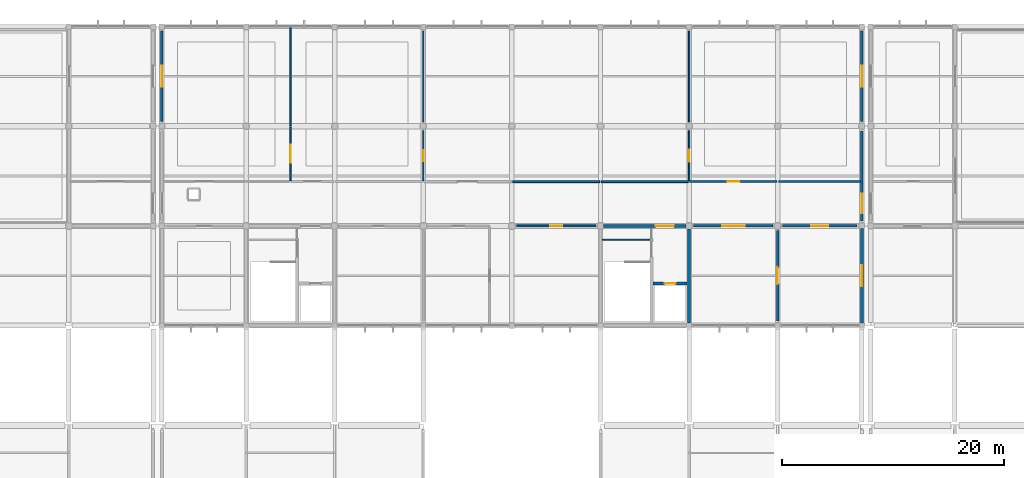
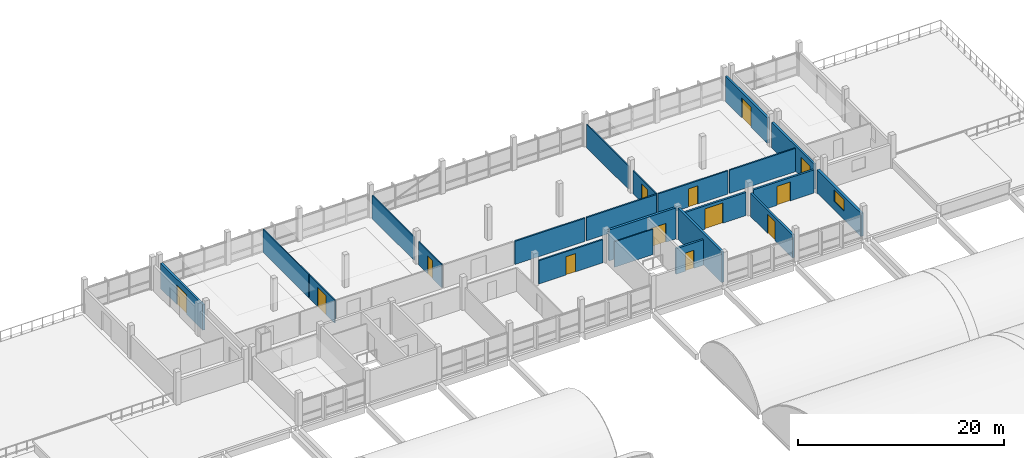
# One storey, part 52 of 57: 22 walls, 13 doors, 1 window, 14 openings.
"""IFC4 building model written with IfcOpenShell, lengths in metres."""

from ifc_helpers import new_model, si_unit, direction, frame, frame_2d, origin, place, context, subcontext, project, spatial, rectangle, extrude, material, layer, layer_set, type_object, element, fill, save


model = new_model("IFC4")

# Units and contexts
model_context = context("Model", 3, precision=1e-05, world=origin(), true_north=direction((0.0, 1.0)))
body_context = subcontext(model_context, "Body", "Model", "MODEL_VIEW")
ifc_project = project(units=[si_unit("LENGTHUNIT", "METRE"), si_unit("AREAUNIT", "SQUARE_METRE"), si_unit("VOLUMEUNIT", "CUBIC_METRE"), si_unit("PLANEANGLEUNIT", "RADIAN"), si_unit("MASSUNIT", "GRAM", prefix="KILO"), si_unit("THERMODYNAMICTEMPERATUREUNIT", "KELVIN"), si_unit("POWERUNIT", "WATT")], contexts=[model_context])

# Site, building, storey
site_placement = place(None, origin())
site = spatial("IfcSite", under=ifc_project, at=site_placement, CompositionType="ELEMENT")
building_placement = place(site_placement, origin())
building = spatial("IfcBuilding", under=site, at=building_placement, Name="Kronsvod Quay Wholesale Market", CompositionType="ELEMENT")
storey_placement = place(building_placement, frame((0.0, 0.0, 13.199951171875)))
storey = spatial("IfcBuildingStorey", under=building, at=storey_placement, Name="L03", CompositionType="ELEMENT", Elevation=13.199951171875)

# Wall, opening, door
ifc_material_1 = material(Name="Concrete C35/45", Category="concrete")
ifc_layer_1 = layer(ifc_material_1, 0.260009765625)
ifc_layer_set_1 = layer_set([ifc_layer_1], Name="Concrete C35/45")
wall_type_1 = type_object("IfcWallType", Name="Wall_CoreShear260", PredefinedType="SHEAR", material=ifc_layer_set_1)
wall_1_placement = place(storey_placement, frame((104.27001953125, 108.0, 0.0), z_axis=(0.0, 0.0, 1.0), x_axis=(1.0, 0.0, 0.0)))
wall_1 = element("IfcWall", 1, at=wall_1_placement, inside=storey, type_object=wall_type_1, Name="CW-C09-L03-N", PredefinedType="SHEAR", context=body_context, shape_type="SweptSolid", body=[
    extrude(rectangle(XDim=7.4599609375, YDim=0.260009765625, at=frame_2d((3.72998046875, 0.0))), origin(), (0.0, 0.0, 1.0), 3.6650390625),
])
opening_1_placement = place(wall_1_placement, frame((4.699951171875, 0.0, 0.0)))
opening_1 = element("IfcOpeningElement", 2, at=opening_1_placement, cuts=wall_1, Name="Opening D-0104", PredefinedType="OPENING", context=body_context, shape_type="SweptSolid", body=[
    extrude(rectangle(XDim=1.64990234375, YDim=2.219970703125, at=frame_2d((0.824951171875, 1.10986328125))), frame((0.0, 0.14013671875, 0.0), z_axis=(0.0, -1.0, 0.0), x_axis=(1.0, 0.0, 0.0)), (0.0, 0.0, 1.0), 0.280029296875),
])
ifc_material_2 = material(Name="Painted galvanized fire steel", Category="steel")
door_type_1 = type_object("IfcDoorType", Name="Door_FireLobby165x222", OperationType="DOUBLE_DOOR_SINGLE_SWING", PredefinedType="DOOR", material=ifc_material_2)
door_1_placement = place(opening_1_placement, origin())
door_1 = element("IfcDoor", 3, at=door_1_placement, inside=storey, type_object=door_type_1, Name="Core Lobby Door D-0104", OperationType="DOUBLE_DOOR_SINGLE_SWING", OverallHeight=2.219970703125, OverallWidth=1.64990234375, PredefinedType="DOOR", context=body_context, shape_type="SweptSolid", body=[
    extrude(rectangle(XDim=1.64990234375, YDim=2.219970703125, at=frame_2d((0.824951171875, 1.10986328125))), frame((0.0, 0.02490234375, 0.0), z_axis=(0.0, -1.0, 0.0), x_axis=(1.0, 0.0, 0.0)), (0.0, 0.0, 1.0), 0.050048828125),
])
fill(opening_1, door_1)

# Wall
wall_2_placement = place(storey_placement, frame((112.0, 99.2451171875, 0.0), z_axis=(0.0, 0.0, 1.0), x_axis=(0.0, 1.0, 0.0)))
element("IfcWall", 4, at=wall_2_placement, inside=storey, type_object=wall_type_1, Name="CW-C09-L03-E", PredefinedType="SHEAR", context=body_context, shape_type="SweptSolid", body=[
    extrude(rectangle(XDim=8.48486328125, YDim=0.260009765625, at=frame_2d((4.242431640625, 0.0))), origin(), (0.0, 0.0, 1.0), 3.6650390625),
])

# Wall, opening, window
ifc_material_3 = material(Name="Precast concrete C40/50", Category="concrete")
ifc_layer_2 = layer(ifc_material_3, 0.280029296875)
ifc_layer_set_2 = layer_set([ifc_layer_2], Name="Precast concrete C40/50")
wall_type_2 = type_object("IfcWallType", Name="Wall_ExtPrecast280", PredefinedType="SOLIDWALL", material=ifc_layer_set_2)
wall_3_placement = place(storey_placement, frame((127.60009765625, 99.2451171875, 0.0), z_axis=(0.0, 0.0, 1.0), x_axis=(0.0, 1.0, 0.0)))
wall_3 = element("IfcWall", 5, at=wall_3_placement, inside=storey, type_object=wall_type_2, Name="EW-Y-L03-0207", PredefinedType="SOLIDWALL", context=body_context, shape_type="SweptSolid", body=[
    extrude(rectangle(XDim=8.509765625, YDim=0.280029296875, at=frame_2d((4.2548828125, 0.0))), origin(), (0.0, 0.0, 1.0), 2.75),
])
opening_2_placement = place(wall_3_placement, frame((3.304931640625, 0.0, 1.0)))
opening_2 = element("IfcOpeningElement", 6, at=opening_2_placement, cuts=wall_3, Name="Opening WIN-20", PredefinedType="OPENING", context=body_context, shape_type="SweptSolid", body=[
    extrude(rectangle(XDim=1.89990234375, YDim=1.39990234375, at=frame_2d((0.949951171875, 0.699951171875))), frame((0.0, 0.14990234375, 0.0), z_axis=(0.0, -1.0, 0.0), x_axis=(1.0, 0.0, 0.0)), (0.0, 0.0, 1.0), 0.300048828125),
])
ifc_material_4 = material(Name="Thermally broken aluminium and triple low-E glazing", Category="aluminium")
window_type = type_object("IfcWindowType", Name="Win_W20", PartitioningType="SINGLE_PANEL", PredefinedType="WINDOW", material=ifc_material_4)
window_placement = place(opening_2_placement, origin())
window = element("IfcWindow", 7, at=window_placement, inside=storey, type_object=window_type, Name="WIN-Y-L03-0020", OverallHeight=1.39990234375, OverallWidth=1.89990234375, PartitioningType="SINGLE_PANEL", PredefinedType="WINDOW", context=body_context, shape_type="SweptSolid", body=[
    extrude(rectangle(XDim=1.89990234375, YDim=1.39990234375, at=frame_2d((0.949951171875, 0.699951171875))), frame((0.0, 0.030029296875, 0.0), z_axis=(0.0, -1.0, 0.0), x_axis=(1.0, 0.0, 0.0)), (0.0, 0.0, 1.0), 0.06005859375),
])
fill(opening_2, window)

# Wall, opening, door
ifc_material_5 = material(Name="Precast concrete C40/50", Category="concrete")
ifc_layer_3 = layer(ifc_material_5, 0.239990234375)
ifc_layer_set_3 = layer_set([ifc_layer_3], Name="Precast concrete C40/50")
wall_type_3 = type_object("IfcWallType", Name="Wall_ExtSpandrel240", PredefinedType="SOLIDWALL", material=ifc_layer_set_3)
wall_4_placement = place(storey_placement, frame((64.39990234375, 117.419921875, 0.0), z_axis=(0.0, 0.0, 1.0), x_axis=(0.0, 1.0, 0.0)))
wall_4 = element("IfcWall", 8, at=wall_4_placement, inside=storey, type_object=wall_type_3, Name="MJWG-L03-644-1170", PredefinedType="SOLIDWALL", context=body_context, shape_type="SweptSolid", body=[
    extrude(rectangle(XDim=8.16015625, YDim=0.239990234375, at=frame_2d((4.080078125, 0.0))), origin(), (0.0, 0.0, 1.0), 3.010009765625),
])
opening_3_placement = place(wall_4_placement, frame((3.1298828125, 0.0, 0.0)))
opening_3 = element("IfcOpeningElement", 9, at=opening_3_placement, cuts=wall_4, Name="Opening D-0393", PredefinedType="OPENING", context=body_context, shape_type="SweptSolid", body=[
    extrude(rectangle(XDim=1.89990234375, YDim=2.35009765625, at=frame_2d((0.949951171875, 1.175048828125))), frame((0.0, 0.1298828125, 0.0), z_axis=(0.0, -1.0, 0.0), x_axis=(1.0, 0.0, 0.0)), (0.0, 0.0, 1.0), 0.260009765625),
])
ifc_material_6 = material(Name="Painted galvanized fire steel", Category="steel")
door_type_2 = type_object("IfcDoorType", Name="Door_FireComp190x235", OperationType="DOUBLE_DOOR_SINGLE_SWING", PredefinedType="DOOR", material=ifc_material_6)
door_2_placement = place(opening_3_placement, origin())
door_2 = element("IfcDoor", 10, at=door_2_placement, inside=storey, type_object=door_type_2, Name="Fire Compartment Door D-0393", OperationType="DOUBLE_DOOR_SINGLE_SWING", OverallHeight=2.35009765625, OverallWidth=1.89990234375, PredefinedType="DOOR", context=body_context, shape_type="SweptSolid", body=[
    extrude(rectangle(XDim=1.89990234375, YDim=2.35009765625, at=frame_2d((0.949951171875, 1.175048828125))), frame((0.0, 0.02490234375, 0.0), z_axis=(0.0, -1.0, 0.0), x_axis=(1.0, 0.0, 0.0)), (0.0, 0.0, 1.0), 0.050048828125),
])
fill(opening_3, door_2)

wall_5_placement = place(storey_placement, frame((127.60009765625, 108.419921875, 0.0), z_axis=(0.0, 0.0, 1.0), x_axis=(0.0, 1.0, 0.0)))
wall_5 = element("IfcWall", 11, at=wall_5_placement, inside=storey, type_object=wall_type_3, Name="MJWG-L03-1276-1080", PredefinedType="SOLIDWALL", context=body_context, shape_type="SweptSolid", body=[
    extrude(rectangle(XDim=8.16015625, YDim=0.239990234375, at=frame_2d((4.080078125, 0.0))), origin(), (0.0, 0.0, 1.0), 3.010009765625),
])
opening_4_placement = place(wall_5_placement, frame((0.699951171875, 0.0, 0.0)))
opening_4 = element("IfcOpeningElement", 12, at=opening_4_placement, cuts=wall_5, Name="Opening D-0394", PredefinedType="OPENING", context=body_context, shape_type="SweptSolid", body=[
    extrude(rectangle(XDim=1.800048828125, YDim=2.300048828125, at=frame_2d((0.89990234375, 1.14990234375))), frame((0.0, 0.1298828125, 0.0), z_axis=(0.0, -1.0, 0.0), x_axis=(1.0, 0.0, 0.0)), (0.0, 0.0, 1.0), 0.260009765625),
])
ifc_material_7 = material(Name="Painted galvanized fire steel", Category="steel")
door_type_3 = type_object("IfcDoorType", Name="Door_FireComp180x230", OperationType="DOUBLE_DOOR_SINGLE_SWING", PredefinedType="DOOR", material=ifc_material_7)
door_3_placement = place(opening_4_placement, origin())
door_3 = element("IfcDoor", 13, at=door_3_placement, inside=storey, type_object=door_type_3, Name="Fire Compartment Door D-0394", OperationType="DOUBLE_DOOR_SINGLE_SWING", OverallHeight=2.300048828125, OverallWidth=1.800048828125, PredefinedType="DOOR", context=body_context, shape_type="SweptSolid", body=[
    extrude(rectangle(XDim=1.800048828125, YDim=2.300048828125, at=frame_2d((0.89990234375, 1.14990234375))), frame((0.0, 0.02490234375, 0.0), z_axis=(0.0, -1.0, 0.0), x_axis=(1.0, 0.0, 0.0)), (0.0, 0.0, 1.0), 0.050048828125),
])
fill(opening_4, door_3)

wall_6_placement = place(storey_placement, frame((127.60009765625, 117.419921875, 0.0), z_axis=(0.0, 0.0, 1.0), x_axis=(0.0, 1.0, 0.0)))
wall_6 = element("IfcWall", 14, at=wall_6_placement, inside=storey, type_object=wall_type_3, Name="MJWG-L03-1276-1170", PredefinedType="SOLIDWALL", context=body_context, shape_type="SweptSolid", body=[
    extrude(rectangle(XDim=8.16015625, YDim=0.239990234375, at=frame_2d((4.080078125, 0.0))), origin(), (0.0, 0.0, 1.0), 3.010009765625),
])
opening_5_placement = place(wall_6_placement, frame((3.1298828125, 0.0, 0.0)))
opening_5 = element("IfcOpeningElement", 15, at=opening_5_placement, cuts=wall_6, Name="Opening D-0395", PredefinedType="OPENING", context=body_context, shape_type="SweptSolid", body=[
    extrude(rectangle(XDim=1.89990234375, YDim=2.35009765625, at=frame_2d((0.949951171875, 1.175048828125))), frame((0.0, 0.1298828125, 0.0), z_axis=(0.0, -1.0, 0.0), x_axis=(1.0, 0.0, 0.0)), (0.0, 0.0, 1.0), 0.260009765625),
])
door_4_placement = place(opening_5_placement, origin())
door_4 = element("IfcDoor", 16, at=door_4_placement, inside=storey, type_object=door_type_2, Name="Fire Compartment Door D-0395", OperationType="DOUBLE_DOOR_SINGLE_SWING", OverallHeight=2.35009765625, OverallWidth=1.89990234375, PredefinedType="DOOR", context=body_context, shape_type="SweptSolid", body=[
    extrude(rectangle(XDim=1.89990234375, YDim=2.35009765625, at=frame_2d((0.949951171875, 1.175048828125))), frame((0.0, 0.02490234375, 0.0), z_axis=(0.0, -1.0, 0.0), x_axis=(1.0, 0.0, 0.0)), (0.0, 0.0, 1.0), 0.050048828125),
])
fill(opening_5, door_4)

ifc_material_8 = material(Name="Concrete C35/45", Category="concrete")
ifc_layer_4 = layer(ifc_material_8, 0.219970703125)
ifc_layer_set_4 = layer_set([ifc_layer_4], Name="Concrete C35/45")
wall_type_4 = type_object("IfcWallType", Name="Wall_FireComp220", PredefinedType="SOLIDWALL", material=ifc_layer_set_4)
wall_7_placement = place(storey_placement, frame((120.0, 99.419921875, 0.0), z_axis=(0.0, 0.0, 1.0), x_axis=(0.0, 1.0, 0.0)))
wall_7 = element("IfcWall", 17, at=wall_7_placement, inside=storey, type_object=wall_type_4, Name="PW-L03-0008", PredefinedType="SOLIDWALL", context=body_context, shape_type="SweptSolid", body=[
    extrude(rectangle(XDim=8.16015625, YDim=0.219970703125, at=frame_2d((4.080078125, 0.0))), origin(), (0.0, 0.0, 1.0), 2.75),
])
opening_6_placement = place(wall_7_placement, frame((3.330078125, 0.0, 0.0)))
opening_6 = element("IfcOpeningElement", 18, at=opening_6_placement, cuts=wall_7, Name="Opening D-0303", PredefinedType="OPENING", context=body_context, shape_type="SweptSolid", body=[
    extrude(rectangle(XDim=1.5, YDim=2.25, at=frame_2d((0.75, 1.125))), frame((0.0, 0.1201171875, 0.0), z_axis=(0.0, -1.0, 0.0), x_axis=(1.0, 0.0, 0.0)), (0.0, 0.0, 1.0), 0.239990234375),
])
ifc_material_9 = material(Name="Painted steel plant door", Category="steel")
door_type_4 = type_object("IfcDoorType", Name="Door_Plant150x225", OperationType="DOUBLE_DOOR_SINGLE_SWING", PredefinedType="DOOR", material=ifc_material_9)
door_5_placement = place(opening_6_placement, origin())
door_5 = element("IfcDoor", 19, at=door_5_placement, inside=storey, type_object=door_type_4, Name="Interior Door D-0303", OperationType="DOUBLE_DOOR_SINGLE_SWING", OverallHeight=2.25, OverallWidth=1.5, PredefinedType="DOOR", context=body_context, shape_type="SweptSolid", body=[
    extrude(rectangle(XDim=1.5, YDim=2.25, at=frame_2d((0.75, 1.125))), frame((0.0, 0.02490234375, 0.0), z_axis=(0.0, -1.0, 0.0), x_axis=(1.0, 0.0, 0.0)), (0.0, 0.0, 1.0), 0.050048828125),
])
fill(opening_6, door_5)

wall_8_placement = place(storey_placement, frame((112.419921875, 108.0, 0.0), z_axis=(0.0, 0.0, 1.0), x_axis=(1.0, 0.0, 0.0)))
wall_8 = element("IfcWall", 20, at=wall_8_placement, inside=storey, type_object=wall_type_4, Name="PW-L03-0009", PredefinedType="SOLIDWALL", context=body_context, shape_type="SweptSolid", body=[
    extrude(rectangle(XDim=7.16015625, YDim=0.219970703125, at=frame_2d((3.580078125, 0.0))), origin(), (0.0, 0.0, 1.0), 2.75),
])
opening_7_placement = place(wall_8_placement, frame((2.554931640625, 0.0, 0.0)))
opening_7 = element("IfcOpeningElement", 21, at=opening_7_placement, cuts=wall_8, Name="Opening D-0304", PredefinedType="OPENING", context=body_context, shape_type="SweptSolid", body=[
    extrude(rectangle(XDim=2.050048828125, YDim=2.39990234375, at=frame_2d((1.02490234375, 1.199951171875))), frame((0.0, 0.1201171875, 0.0), z_axis=(0.0, -1.0, 0.0), x_axis=(1.0, 0.0, 0.0)), (0.0, 0.0, 1.0), 0.239990234375),
])
ifc_material_10 = material(Name="Impact-protected warehouse double door", Category="steel")
door_type_5 = type_object("IfcDoorType", Name="Door_Sorting205x240", OperationType="DOUBLE_DOOR_SINGLE_SWING", PredefinedType="DOOR", material=ifc_material_10)
door_6_placement = place(opening_7_placement, origin())
door_6 = element("IfcDoor", 22, at=door_6_placement, inside=storey, type_object=door_type_5, Name="Interior Door D-0304", OperationType="DOUBLE_DOOR_SINGLE_SWING", OverallHeight=2.39990234375, OverallWidth=2.050048828125, PredefinedType="DOOR", context=body_context, shape_type="SweptSolid", body=[
    extrude(rectangle(XDim=2.050048828125, YDim=2.39990234375, at=frame_2d((1.02490234375, 1.199951171875))), frame((0.0, 0.02490234375, 0.0), z_axis=(0.0, -1.0, 0.0), x_axis=(1.0, 0.0, 0.0)), (0.0, 0.0, 1.0), 0.050048828125),
])
fill(opening_7, door_6)

wall_9_placement = place(storey_placement, frame((120.419921875, 108.0, 0.0), z_axis=(0.0, 0.0, 1.0), x_axis=(1.0, 0.0, 0.0)))
wall_9 = element("IfcWall", 23, at=wall_9_placement, inside=storey, type_object=wall_type_4, Name="PW-L03-0010", PredefinedType="SOLIDWALL", context=body_context, shape_type="SweptSolid", body=[
    extrude(rectangle(XDim=6.760009765625, YDim=0.219970703125, at=frame_2d((3.3798828125, 0.0))), origin(), (0.0, 0.0, 1.0), 2.75),
])
opening_8_placement = place(wall_9_placement, frame((2.6298828125, 0.0, 0.0)))
opening_8 = element("IfcOpeningElement", 24, at=opening_8_placement, cuts=wall_9, Name="Opening D-0305", PredefinedType="OPENING", context=body_context, shape_type="SweptSolid", body=[
    extrude(rectangle(XDim=1.5, YDim=2.25, at=frame_2d((0.75, 1.125))), frame((0.0, 0.1201171875, 0.0), z_axis=(0.0, -1.0, 0.0), x_axis=(1.0, 0.0, 0.0)), (0.0, 0.0, 1.0), 0.239990234375),
])
door_7_placement = place(opening_8_placement, origin())
door_7 = element("IfcDoor", 25, at=door_7_placement, inside=storey, type_object=door_type_4, Name="Interior Door D-0305", OperationType="DOUBLE_DOOR_SINGLE_SWING", OverallHeight=2.25, OverallWidth=1.5, PredefinedType="DOOR", context=body_context, shape_type="SweptSolid", body=[
    extrude(rectangle(XDim=1.5, YDim=2.25, at=frame_2d((0.75, 1.125))), frame((0.0, 0.02490234375, 0.0), z_axis=(0.0, -1.0, 0.0), x_axis=(1.0, 0.0, 0.0)), (0.0, 0.0, 1.0), 0.050048828125),
])
fill(opening_8, door_7)

ifc_material_11 = material(Name="Fire-rated corridor gypsum partition")
ifc_layer_5 = layer(ifc_material_11, 0.159912109375)
ifc_layer_set_5 = layer_set([ifc_layer_5], Name="Fire-rated corridor gypsum partition")
wall_type_5 = type_object("IfcWallType", Name="Wall_PartCorridor160", PredefinedType="PARTITIONING", material=ifc_layer_set_5)
wall_10_placement = place(storey_placement, frame((112.080078125, 112.0, 0.0), z_axis=(0.0, 0.0, 1.0), x_axis=(1.0, 0.0, 0.0)))
wall_10 = element("IfcWall", 26, at=wall_10_placement, inside=storey, type_object=wall_type_5, Name="PW-L03-0018", PredefinedType="PARTITIONING", context=body_context, shape_type="SweptSolid", body=[
    extrude(rectangle(XDim=7.83984375, YDim=0.159912109375, at=frame_2d((3.919921875, 0.0))), origin(), (0.0, 0.0, 1.0), 2.75),
])
opening_9_placement = place(wall_10_placement, frame((3.39501953125, 0.0, 0.0)))
opening_9 = element("IfcOpeningElement", 27, at=opening_9_placement, cuts=wall_10, Name="Opening D-0309", PredefinedType="OPENING", context=body_context, shape_type="SweptSolid", body=[
    extrude(rectangle(XDim=1.050048828125, YDim=2.14990234375, at=frame_2d((0.52490234375, 1.074951171875))), frame((0.0, 0.08984375, 0.0), z_axis=(0.0, -1.0, 0.0), x_axis=(1.0, 0.0, 0.0)), (0.0, 0.0, 1.0), 0.179931640625),
])
ifc_material_12 = material(Name="Solid-core timber office door", Category="wood")
door_type_6 = type_object("IfcDoorType", Name="Door_Office105x215", OperationType="NOTDEFINED", PredefinedType="DOOR", material=ifc_material_12)
door_8_placement = place(opening_9_placement, origin())
door_8 = element("IfcDoor", 28, at=door_8_placement, inside=storey, type_object=door_type_6, Name="Interior Door D-0309", OperationType="SINGLE_SWING_RIGHT", OverallHeight=2.14990234375, OverallWidth=1.050048828125, PredefinedType="DOOR", context=body_context, shape_type="SweptSolid", body=[
    extrude(rectangle(XDim=1.050048828125, YDim=2.14990234375, at=frame_2d((0.52490234375, 1.074951171875))), frame((0.0, 0.02490234375, 0.0), z_axis=(0.0, -1.0, 0.0), x_axis=(1.0, 0.0, 0.0)), (0.0, 0.0, 1.0), 0.050048828125),
])
fill(opening_9, door_8)

# Wall
wall_11_placement = place(storey_placement, frame((120.080078125, 112.0, 0.0), z_axis=(0.0, 0.0, 1.0), x_axis=(1.0, 0.0, 0.0)))
element("IfcWall", 29, at=wall_11_placement, inside=storey, type_object=wall_type_5, Name="PW-L03-0019", PredefinedType="PARTITIONING", context=body_context, shape_type="SweptSolid", body=[
    extrude(rectangle(XDim=7.3798828125, YDim=0.159912109375, at=frame_2d((3.68994140625, 0.0))), origin(), (0.0, 0.0, 1.0), 2.75),
])

# Wall, opening, door
ifc_material_13 = material(Name="Double-layer fire gypsum partition", Category="gypsum")
ifc_layer_6 = layer(ifc_material_13, 0.16796875)
ifc_layer_set_6 = layer_set([ifc_layer_6], Name="Double-layer fire gypsum partition")
wall_type_6 = type_object("IfcWallType", Name="Wall_PartCorridor168", PredefinedType="PARTITIONING", material=ifc_layer_set_6)
wall_12_placement = place(storey_placement, frame((96.419921875, 108.0, 0.0), z_axis=(0.0, 0.0, 1.0), x_axis=(1.0, 0.0, 0.0)))
wall_12 = element("IfcWall", 30, at=wall_12_placement, inside=storey, type_object=wall_type_6, Name="PW-L03-0007", PredefinedType="PARTITIONING", context=body_context, shape_type="SweptSolid", body=[
    extrude(rectangle(XDim=7.16015625, YDim=0.16796875, at=frame_2d((3.580078125, 0.0))), origin(), (0.0, 0.0, 1.0), 2.75),
])
opening_10_placement = place(wall_12_placement, frame((3.050048828125, 0.0, 0.0)))
opening_10 = element("IfcOpeningElement", 31, at=opening_10_placement, cuts=wall_12, Name="Opening D-0302", PredefinedType="OPENING", context=body_context, shape_type="SweptSolid", body=[
    extrude(rectangle(XDim=1.06005859375, YDim=2.169921875, at=frame_2d((0.530029296875, 1.0849609375))), frame((0.0, 0.093994140625, 0.0), z_axis=(0.0, -1.0, 0.0), x_axis=(1.0, 0.0, 0.0)), (0.0, 0.0, 1.0), 0.18798828125),
])
ifc_material_14 = material(Name="Solid-core timber office door", Category="wood")
door_type_7 = type_object("IfcDoorType", Name="Door_Office106x217", OperationType="NOTDEFINED", PredefinedType="DOOR", material=ifc_material_14)
door_9_placement = place(opening_10_placement, origin())
door_9 = element("IfcDoor", 32, at=door_9_placement, inside=storey, type_object=door_type_7, Name="Interior Door D-0302", OperationType="SINGLE_SWING_LEFT", OverallHeight=2.169921875, OverallWidth=1.06005859375, PredefinedType="DOOR", context=body_context, shape_type="SweptSolid", body=[
    extrude(rectangle(XDim=1.06005859375, YDim=2.169921875, at=frame_2d((0.530029296875, 1.0849609375))), frame((0.0, 0.02490234375, 0.0), z_axis=(0.0, -1.0, 0.0), x_axis=(1.0, 0.0, 0.0)), (0.0, 0.0, 1.0), 0.050048828125),
])
fill(opening_10, door_9)

# Walls
for number, where, z_axis, x_axis, name in (
    (33, (96.080078125, 112.0, 0.0), (0.0, 0.0, 1.0), (1.0, 0.0, 0.0), "PW-L03-0016"),
    (34, (104.080078125, 112.0, 0.0), (0.0, 0.0, 1.0), (1.0, 0.0, 0.0), "PW-L03-0017"),
):
    element("IfcWall", number, at=place(storey_placement, frame(where, z_axis=z_axis, x_axis=x_axis)), inside=storey, type_object=wall_type_6, Name=name, PredefinedType="PARTITIONING", context=body_context, shape_type="SweptSolid", body=[
        extrude(rectangle(XDim=7.83984375, YDim=0.16796875, at=frame_2d((3.919921875, 0.0))), origin(), (0.0, 0.0, 1.0), 2.75),
    ])

# Wall, opening, door
ifc_material_15 = material(Name="Framed acoustic glass hall partition", Category="glass")
ifc_layer_7 = layer(ifc_material_15, 0.114990234375)
ifc_layer_set_7 = layer_set([ifc_layer_7], Name="Framed acoustic glass hall partition")
wall_type_7 = type_object("IfcWallType", Name="Wall_PartGlazed115", PredefinedType="PARTITIONING", material=ifc_layer_set_7)
wall_13_placement = place(storey_placement, frame((76.0, 112.080078125, 0.0), z_axis=(0.0, 0.0, 1.0), x_axis=(0.0, 1.0, 0.0)))
wall_13 = element("IfcWall", 35, at=wall_13_placement, inside=storey, type_object=wall_type_7, Name="PW-L03-0020", PredefinedType="PARTITIONING", context=body_context, shape_type="SweptSolid", body=[
    extrude(rectangle(XDim=4.85986328125, YDim=0.114990234375, at=frame_2d((2.429931640625, 0.0))), origin(), (0.0, 0.0, 1.0), 2.75),
])
opening_11_placement = place(wall_13_placement, frame((1.60498046875, 0.0, 0.0)))
opening_11 = element("IfcOpeningElement", 36, at=opening_11_placement, cuts=wall_13, Name="Opening D-0310", PredefinedType="OPENING", context=body_context, shape_type="SweptSolid", body=[
    extrude(rectangle(XDim=1.64990234375, YDim=2.25, at=frame_2d((0.824951171875, 1.125))), frame((0.0, 0.0673828125, 0.0), z_axis=(0.0, -1.0, 0.0), x_axis=(1.0, 0.0, 0.0)), (0.0, 0.0, 1.0), 0.135009765625),
])
ifc_material_16 = material(Name="Glazed aluminium dining door", Category="aluminium")
door_type_8 = type_object("IfcDoorType", Name="Door_Canteen165x225", OperationType="DOUBLE_DOOR_SINGLE_SWING", PredefinedType="DOOR", material=ifc_material_16)
door_10_placement = place(opening_11_placement, origin())
door_10 = element("IfcDoor", 37, at=door_10_placement, inside=storey, type_object=door_type_8, Name="Interior Door D-0310", OperationType="DOUBLE_DOOR_SINGLE_SWING", OverallHeight=2.25, OverallWidth=1.64990234375, PredefinedType="DOOR", context=body_context, shape_type="SweptSolid", body=[
    extrude(rectangle(XDim=1.64990234375, YDim=2.25, at=frame_2d((0.824951171875, 1.125))), frame((0.0, 0.02490234375, 0.0), z_axis=(0.0, -1.0, 0.0), x_axis=(1.0, 0.0, 0.0)), (0.0, 0.0, 1.0), 0.050048828125),
])
fill(opening_11, door_10)

# Wall
wall_14_placement = place(storey_placement, frame((76.0, 117.06005859375, 0.0), z_axis=(0.0, 0.0, 1.0), x_axis=(0.0, 1.0, 0.0)))
element("IfcWall", 38, at=wall_14_placement, inside=storey, type_object=wall_type_7, Name="PW-L03-0021", PredefinedType="PARTITIONING", context=body_context, shape_type="SweptSolid", body=[
    extrude(rectangle(XDim=8.8798828125, YDim=0.114990234375, at=frame_2d((4.43994140625, 0.0))), origin(), (0.0, 0.0, 1.0), 2.75),
])

# Wall, opening, door
ifc_material_17 = material(Name="Lightweight demountable office partition")
ifc_layer_8 = layer(ifc_material_17, 0.1201171875)
ifc_layer_set_8 = layer_set([ifc_layer_8], Name="Lightweight demountable office partition")
wall_type_8 = type_object("IfcWallType", Name="Wall_PartOffice120", PredefinedType="PARTITIONING", material=ifc_layer_set_8)
wall_15_placement = place(storey_placement, frame((112.0, 112.080078125, 0.0), z_axis=(0.0, 0.0, 1.0), x_axis=(0.0, 1.0, 0.0)))
wall_15 = element("IfcWall", 39, at=wall_15_placement, inside=storey, type_object=wall_type_8, Name="PW-L03-0024", PredefinedType="PARTITIONING", context=body_context, shape_type="SweptSolid", body=[
    extrude(rectangle(XDim=4.5, YDim=0.1201171875, at=frame_2d((2.25, 0.0))), origin(), (0.0, 0.0, 1.0), 2.75),
])
opening_12_placement = place(wall_15_placement, frame((1.68994140625, 0.0, 0.0)))
opening_12 = element("IfcOpeningElement", 40, at=opening_12_placement, cuts=wall_15, Name="Opening D-0312", PredefinedType="OPENING", context=body_context, shape_type="SweptSolid", body=[
    extrude(rectangle(XDim=1.1201171875, YDim=2.179931640625, at=frame_2d((0.56005859375, 1.08984375))), frame((0.0, 0.070068359375, 0.0), z_axis=(0.0, -1.0, 0.0), x_axis=(1.0, 0.0, 0.0)), (0.0, 0.0, 1.0), 0.14013671875),
])
ifc_material_18 = material(Name="Solid-core timber office door", Category="wood")
door_type_9 = type_object("IfcDoorType", Name="Door_Office112x218", OperationType="NOTDEFINED", PredefinedType="DOOR", material=ifc_material_18)
door_11_placement = place(opening_12_placement, origin())
door_11 = element("IfcDoor", 41, at=door_11_placement, inside=storey, type_object=door_type_9, Name="Interior Door D-0312", OperationType="SINGLE_SWING_RIGHT", OverallHeight=2.179931640625, OverallWidth=1.1201171875, PredefinedType="DOOR", context=body_context, shape_type="SweptSolid", body=[
    extrude(rectangle(XDim=1.1201171875, YDim=2.179931640625, at=frame_2d((0.56005859375, 1.08984375))), frame((0.0, 0.02490234375, 0.0), z_axis=(0.0, -1.0, 0.0), x_axis=(1.0, 0.0, 0.0)), (0.0, 0.0, 1.0), 0.050048828125),
])
fill(opening_12, door_11)

# Wall
wall_16_placement = place(storey_placement, frame((112.0, 117.419921875, 0.0), z_axis=(0.0, 0.0, 1.0), x_axis=(0.0, 1.0, 0.0)))
element("IfcWall", 42, at=wall_16_placement, inside=storey, type_object=wall_type_8, Name="PW-L03-0025", PredefinedType="PARTITIONING", context=body_context, shape_type="SweptSolid", body=[
    extrude(rectangle(XDim=8.16015625, YDim=0.1201171875, at=frame_2d((4.080078125, 0.0))), origin(), (0.0, 0.0, 1.0), 2.75),
])

# Wall, opening, door
ifc_material_19 = material(Name="Metal-stud gypsum office partition")
ifc_layer_9 = layer(ifc_material_19, 0.125)
ifc_layer_set_9 = layer_set([ifc_layer_9], Name="Metal-stud gypsum office partition")
wall_type_9 = type_object("IfcWallType", Name="Wall_PartOffice125", PredefinedType="PARTITIONING", material=ifc_layer_set_9)
wall_17_placement = place(storey_placement, frame((88.0, 112.080078125, 0.0), z_axis=(0.0, 0.0, 1.0), x_axis=(0.0, 1.0, 0.0)))
wall_17 = element("IfcWall", 43, at=wall_17_placement, inside=storey, type_object=wall_type_9, Name="PW-L03-0022", PredefinedType="PARTITIONING", context=body_context, shape_type="SweptSolid", body=[
    extrude(rectangle(XDim=4.5, YDim=0.125, at=frame_2d((2.25, 0.0))), origin(), (0.0, 0.0, 1.0), 2.75),
])
opening_13_placement = place(wall_17_placement, frame((1.760009765625, 0.0, 0.0)))
opening_13 = element("IfcOpeningElement", 44, at=opening_13_placement, cuts=wall_17, Name="Opening D-0311", PredefinedType="OPENING", context=body_context, shape_type="SweptSolid", body=[
    extrude(rectangle(XDim=0.97998046875, YDim=2.1201171875, at=frame_2d((0.489990234375, 1.06005859375))), frame((0.0, 0.072509765625, 0.0), z_axis=(0.0, -1.0, 0.0), x_axis=(1.0, 0.0, 0.0)), (0.0, 0.0, 1.0), 0.14501953125),
])
ifc_material_20 = material(Name="Solid-core timber office door", Category="wood")
door_type_10 = type_object("IfcDoorType", Name="Door_Office98x212", OperationType="NOTDEFINED", PredefinedType="DOOR", material=ifc_material_20)
door_12_placement = place(opening_13_placement, origin())
door_12 = element("IfcDoor", 45, at=door_12_placement, inside=storey, type_object=door_type_10, Name="Interior Door D-0311", OperationType="SINGLE_SWING_LEFT", OverallHeight=2.1201171875, OverallWidth=0.97998046875, PredefinedType="DOOR", context=body_context, shape_type="SweptSolid", body=[
    extrude(rectangle(XDim=0.97998046875, YDim=2.1201171875, at=frame_2d((0.489990234375, 1.06005859375))), frame((0.0, 0.02490234375, 0.0), z_axis=(0.0, -1.0, 0.0), x_axis=(1.0, 0.0, 0.0)), (0.0, 0.0, 1.0), 0.050048828125),
])
fill(opening_13, door_12)

# Walls
wall_18_placement = place(storey_placement, frame((88.0, 117.419921875, 0.0), z_axis=(0.0, 0.0, 1.0), x_axis=(0.0, 1.0, 0.0)))
element("IfcWall", 46, at=wall_18_placement, inside=storey, type_object=wall_type_9, Name="PW-L03-0023", PredefinedType="PARTITIONING", context=body_context, shape_type="SweptSolid", body=[
    extrude(rectangle(XDim=8.16015625, YDim=0.125, at=frame_2d((4.080078125, 0.0))), origin(), (0.0, 0.0, 1.0), 2.75),
])
ifc_material_21 = material(Name="Fire-rated shaft riser block wall", Category="masonry")
ifc_layer_10 = layer(ifc_material_21, 0.1298828125)
ifc_layer_set_10 = layer_set([ifc_layer_10], Name="Fire-rated shaft riser block wall")
wall_type_10 = type_object("IfcWallType", Name="Wall_PartRiser130", PredefinedType="PARTITIONING", material=ifc_layer_set_10)
wall_19_placement = place(storey_placement, frame((104.179931640625, 106.75, 0.0), z_axis=(0.0, 0.0, 1.0), x_axis=(1.0, 0.0, 0.0)))
element("IfcWall", 47, at=wall_19_placement, inside=storey, type_object=wall_type_10, Name="CW-C09-L03-RSR", PredefinedType="PARTITIONING", context=body_context, shape_type="SweptSolid", body=[
    extrude(rectangle(XDim=4.280029296875, YDim=0.1298828125, at=frame_2d((2.14013671875, 0.0))), origin(), (0.0, 0.0, 1.0), 3.01513671875),
])

# Wall, opening, door
ifc_material_22 = material(Name="Concrete C35/45", Category="concrete")
ifc_layer_11 = layer(ifc_material_22, 0.239990234375)
ifc_layer_set_11 = layer_set([ifc_layer_11], Name="Concrete C35/45")
wall_type_11 = type_object("IfcWallType", Name="Wall_ShaftWall240", PredefinedType="SHEAR", material=ifc_layer_set_11)
wall_20_placement = place(storey_placement, frame((108.75, 102.800048828125, 0.0), z_axis=(0.0, 0.0, 1.0), x_axis=(1.0, 0.0, 0.0)))
wall_20 = element("IfcWall", 48, at=wall_20_placement, inside=storey, type_object=wall_type_11, Name="CW-C09-L03-LSH", PredefinedType="SHEAR", context=body_context, shape_type="SweptSolid", body=[
    extrude(rectangle(XDim=3.070068359375, YDim=0.239990234375, at=frame_2d((1.53515625, 0.0))), origin(), (0.0, 0.0, 1.0), 3.01513671875),
])
opening_14_placement = place(wall_20_placement, frame((1.034912109375, 0.0, 0.0)))
opening_14 = element("IfcOpeningElement", 49, at=opening_14_placement, cuts=wall_20, Name="Opening D-0105", PredefinedType="OPENING", context=body_context, shape_type="SweptSolid", body=[
    extrude(rectangle(XDim=1.0, YDim=2.14990234375, at=frame_2d((0.5, 1.074951171875))), frame((0.0, 0.1298828125, 0.0), z_axis=(0.0, -1.0, 0.0), x_axis=(1.0, 0.0, 0.0)), (0.0, 0.0, 1.0), 0.260009765625),
])
ifc_material_23 = material(Name="Brushed stainless steel", Category="steel")
door_type_11 = type_object("IfcDoorType", Name="Door_LiftLandingPax", OperationType="SLIDING_TO_LEFT", PredefinedType="DOOR", material=ifc_material_23)
door_13_placement = place(opening_14_placement, origin())
door_13 = element("IfcDoor", 50, at=door_13_placement, inside=storey, type_object=door_type_11, Name="Lift Landing Door LFT-P04 L03", OperationType="SLIDING_TO_LEFT", OverallHeight=2.14990234375, OverallWidth=1.0, PredefinedType="DOOR", context=body_context, shape_type="SweptSolid", body=[
    extrude(rectangle(XDim=1.0, YDim=2.14990234375, at=frame_2d((0.5, 1.074951171875))), frame((0.0, 0.02490234375, 0.0), z_axis=(0.0, -1.0, 0.0), x_axis=(1.0, 0.0, 0.0)), (0.0, 0.0, 1.0), 0.050048828125),
])
fill(opening_14, door_13)

save(model, "model.ifc")
